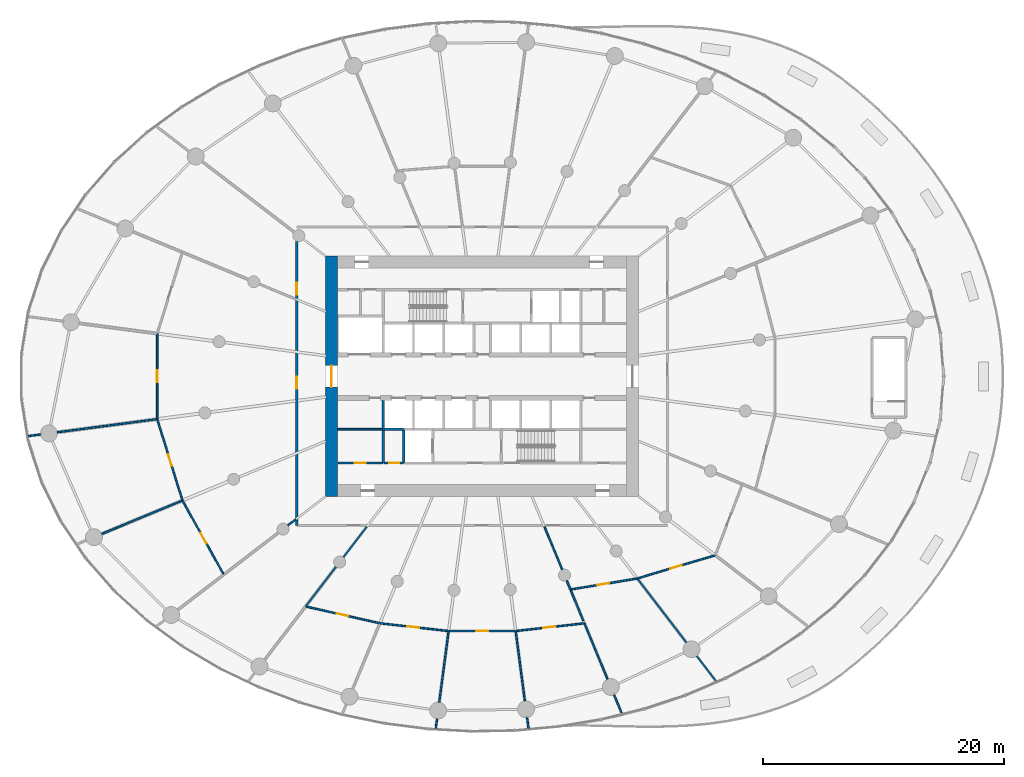
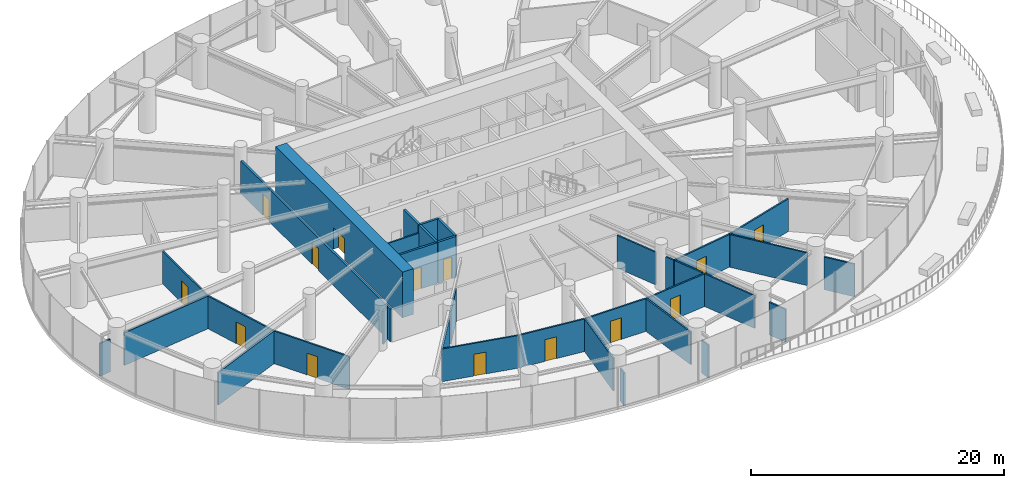
# One storey, part 11 of 21: 35 walls, 14 doors, 14 openings.
"""IFC4 building model written with IfcOpenShell, lengths in metres."""

from ifc_helpers import new_model, si_unit, direction, frame, frame_2d, origin, place, context, subcontext, project, spatial, rectangle, extrude, source, transform, mapped, material, layer, layer_set, type_object, element, fill, save


model = new_model("IFC4")

# Units and contexts
model_context = context("Model", 3, precision=1e-05, world=origin(), true_north=direction((0.0, 1.0)))
body_context = subcontext(model_context, "Body", "Model", "MODEL_VIEW")
ifc_project = project(units=[si_unit("LENGTHUNIT", "METRE"), si_unit("AREAUNIT", "SQUARE_METRE"), si_unit("VOLUMEUNIT", "CUBIC_METRE"), si_unit("PLANEANGLEUNIT", "RADIAN"), si_unit("MASSUNIT", "GRAM", prefix="KILO")], contexts=[model_context])

# Site, building, storey
site_placement = place(None, origin())
site = spatial("IfcSite", under=ifc_project, at=site_placement, CompositionType="ELEMENT")
building_placement = place(site_placement, origin())
building = spatial("IfcBuilding", under=site, at=building_placement, Name="Spindrift Exchange Tower", CompositionType="ELEMENT")
storey_placement = place(building_placement, frame((0.0, 0.0, 18.199951171875)))
storey = spatial("IfcBuildingStorey", under=building, at=storey_placement, Name="L04", CompositionType="ELEMENT", Elevation=18.199951171875)

# Wall, opening, door
ifc_material_1 = material(Name="Concrete 80 MPa", Category="concrete")
ifc_layer_1 = layer(ifc_material_1, 1.0)
ifc_layer_set_1 = layer_set([ifc_layer_1], Name="RC Core Wall 1000 Concrete 80 MPa")
wall_type_1 = type_object("IfcWallType", Name="RC Core Wall 1000 Concrete 80 MPa", PredefinedType="SHEAR", material=ifc_layer_set_1)
wall_1_placement = place(storey_placement, frame((39.5, 58.0, 0.0), z_axis=(0.0, 0.0, 1.0), x_axis=(0.0, -1.0, 0.0)))
wall_1 = element("IfcWall", 1, at=wall_1_placement, inside=storey, type_object=wall_type_1, Name="Core wall W L04", PredefinedType="SHEAR", context=body_context, shape_type="SweptSolid", body=[
    extrude(rectangle(XDim=20.0, YDim=1.0, at=frame_2d((10.0, 0.0))), origin(), (0.0, 0.0, 1.0), 4.400146484375),
])
opening_1_placement = place(wall_1_placement, frame((9.10009765625, 0.0, 0.0)))
opening_1 = element("IfcOpeningElement", 2, at=opening_1_placement, cuts=wall_1, Name="Opening L04-D1", PredefinedType="OPENING", context=body_context, shape_type="SweptSolid", body=[
    extrude(rectangle(XDim=1.800048828125, YDim=2.10009765625, at=frame_2d((0.89990234375, 1.050048828125))), frame((0.0, 0.510009765625, 0.0), z_axis=(0.0, -1.0, 0.0), x_axis=(1.0, 0.0, 0.0)), (0.0, 0.0, 1.0), 1.02001953125),
])
ifc_material_2 = material(Name="Timber-core fire door", Category="wood")
door_type_1 = type_object("IfcDoorType", Name="DR-LOBBY-1800", OperationType="NOTDEFINED", PredefinedType="DOOR", material=ifc_material_2)
shared_shape_1 = source(origin(), body_context, "Body", "SweptSolid", [
    extrude(rectangle(XDim=1.800048828125, YDim=2.10009765625, at=frame_2d((0.89990234375, 1.050048828125))), frame((0.0, 0.02490234375, 0.0), z_axis=(0.0, -1.0, 0.0), x_axis=(1.0, 0.0, 0.0)), (0.0, 0.0, 1.0), 0.050048828125),
])
door_1_placement = place(opening_1_placement, origin())
door_1 = element("IfcDoor", 3, at=door_1_placement, inside=storey, type_object=door_type_1, Name="L04 Lobby door 1", OperationType="SINGLE_SWING_RIGHT", OverallHeight=2.10009765625, OverallWidth=1.800048828125, PredefinedType="DOOR", context=body_context, shape_type="MappedRepresentation", body=[
    mapped(shared_shape_1, transform((0.0, 0.0, 0.0), scale=1.0)),
])
fill(opening_1, door_1)

ifc_material_3 = material(Name="Fire-rated plasterboard partition", Category="gypsum")
ifc_layer_2 = layer(ifc_material_3, 0.179931640625)
ifc_layer_set_2 = layer_set([ifc_layer_2], Name="W-CORR-180")
wall_type_2 = type_object("IfcWallType", Name="W-CORR-180", PredefinedType="PARTITIONING", material=ifc_layer_set_2)
wall_2_placement = place(storey_placement, frame((40.02001953125, 40.800048828125, 0.0), z_axis=(0.0, 0.0, 1.0), x_axis=(1.0, 0.0, 0.0)))
wall_2 = element("IfcWall", 4, at=wall_2_placement, inside=storey, type_object=wall_type_2, Name="L04 Partition wall 65", PredefinedType="PARTITIONING", context=body_context, shape_type="SweptSolid", body=[
    extrude(rectangle(XDim=3.75, YDim=0.179931640625, at=frame_2d((1.875, 0.0))), origin(), (0.0, 0.0, 1.0), 3.949951171875),
])
opening_2_placement = place(wall_2_placement, frame((1.39990234375, 0.0, 0.0)))
opening_2 = element("IfcOpeningElement", 5, at=opening_2_placement, cuts=wall_2, Name="Opening L04-D52", PredefinedType="OPENING", context=body_context, shape_type="SweptSolid", body=[
    extrude(rectangle(XDim=0.89990234375, YDim=2.10009765625, at=frame_2d((0.449951171875, 1.050048828125))), frame((0.0, 0.099853515625, 0.0), z_axis=(0.0, -1.0, 0.0), x_axis=(1.0, 0.0, 0.0)), (0.0, 0.0, 1.0), 0.199951171875),
])
ifc_material_4 = material(Name="Steel access door", Category="steel")
door_type_2 = type_object("IfcDoorType", Name="DR-RISER-900", OperationType="NOTDEFINED", PredefinedType="DOOR", material=ifc_material_4)
shared_shape_2 = source(origin(), body_context, "Body", "SweptSolid", [
    extrude(rectangle(XDim=0.89990234375, YDim=2.10009765625, at=frame_2d((0.449951171875, 1.050048828125))), frame((0.0, 0.02490234375, 0.0), z_axis=(0.0, -1.0, 0.0), x_axis=(1.0, 0.0, 0.0)), (0.0, 0.0, 1.0), 0.050048828125),
])
door_2_placement = place(opening_2_placement, origin())
door_2 = element("IfcDoor", 6, at=door_2_placement, inside=storey, type_object=door_type_2, Name="L04 Riser door 52", OperationType="SINGLE_SWING_LEFT", OverallHeight=2.10009765625, OverallWidth=0.89990234375, PredefinedType="DOOR", context=body_context, shape_type="MappedRepresentation", body=[
    mapped(shared_shape_2, transform((0.0, 0.0, 0.0), scale=1.0)),
])
fill(opening_2, door_2)

ifc_layer_3 = layer(ifc_material_3, 0.139892578125)
ifc_layer_set_3 = layer_set([ifc_layer_3], Name="W-PART-140")
wall_type_3 = type_object("IfcWallType", Name="W-PART-140", PredefinedType="PARTITIONING", material=ifc_layer_set_3)
wall_3_placement = place(storey_placement, frame((71.366943359375, 33.13916015625, 0.0), z_axis=(0.0, 0.0, 1.0), x_axis=(-0.958287066923, -0.285807448063, 0.0)))
wall_3 = element("IfcWall", 7, at=wall_3_placement, inside=storey, type_object=wall_type_3, Name="L04 Partition wall 83", PredefinedType="PARTITIONING", context=body_context, shape_type="SweptSolid", body=[
    extrude(rectangle(XDim=6.7626953125, YDim=0.139892578125, at=frame_2d((3.38134765625, 0.0))), origin(), (0.0, 0.0, 1.0), 3.150146484375),
])
opening_3_placement = place(wall_3_placement, frame((2.912841796875, 0.0, 0.0)))
opening_3 = element("IfcOpeningElement", 8, at=opening_3_placement, cuts=wall_3, Name="Opening L04-D47", PredefinedType="OPENING", context=body_context, shape_type="SweptSolid", body=[
    extrude(rectangle(XDim=1.0, YDim=2.10009765625, at=frame_2d((0.5, 1.050048828125))), frame((0.0, 0.079833984375, 0.0), z_axis=(0.0, -1.0, 0.0), x_axis=(1.0, 0.0, 0.0)), (0.0, 0.0, 1.0), 0.159912109375),
])
door_type_3 = type_object("IfcDoorType", Name="DR-ROOM-1000", OperationType="NOTDEFINED", PredefinedType="DOOR", material=ifc_material_2)
shared_shape_3 = source(origin(), body_context, "Body", "SweptSolid", [
    extrude(rectangle(XDim=1.0, YDim=2.10009765625, at=frame_2d((0.5, 1.050048828125))), frame((0.0, 0.02490234375, 0.0), z_axis=(0.0, -1.0, 0.0), x_axis=(1.0, 0.0, 0.0)), (0.0, 0.0, 1.0), 0.050048828125),
])
door_3_placement = place(opening_3_placement, origin())
door_3 = element("IfcDoor", 9, at=door_3_placement, inside=storey, type_object=door_type_3, Name="L04 Door 47", OperationType="SINGLE_SWING_RIGHT", OverallHeight=2.10009765625, OverallWidth=1.0, PredefinedType="DOOR", context=body_context, shape_type="MappedRepresentation", body=[
    mapped(shared_shape_3, transform((0.0, 0.0, 0.0), scale=1.0)),
])
fill(opening_3, door_3)

# Walls
wall_4_placement = place(storey_placement, frame((64.931884765625, 31.14697265625, 0.0), z_axis=(0.0, 0.0, 1.0), x_axis=(0.608760039418, -0.79335440656, 0.0)))
element("IfcWall", 10, at=wall_4_placement, inside=storey, type_object=wall_type_3, Name="L04 Partition wall 85", PredefinedType="PARTITIONING", context=body_context, shape_type="SweptSolid", body=[
    extrude(rectangle(XDim=6.630126953125, YDim=0.139892578125, at=frame_2d((3.31494140625, 0.0))), origin(), (0.0, 0.0, 1.0), 3.150146484375),
])
wall_5_placement = place(storey_placement, frame((49.214599609375, 26.84326171875, 0.0), z_axis=(0.0, 0.0, 1.0), x_axis=(-0.130523417799, -0.991445226629, 0.0)))
element("IfcWall", 11, at=wall_5_placement, inside=storey, type_object=wall_type_3, Name="L04 Partition wall 92", PredefinedType="PARTITIONING", context=body_context, shape_type="SweptSolid", body=[
    extrude(rectangle(XDim=5.95751953125, YDim=0.139892578125, at=frame_2d((2.978759765625, 0.0))), origin(), (0.0, 0.0, 1.0), 3.150146484375),
])

# Wall, opening, door
wall_6_placement = place(storey_placement, frame((64.856689453125, 31.201416015625, 0.0), z_axis=(0.0, 0.0, 1.0), x_axis=(-0.986684787107, -0.162644184928, 0.0)))
wall_6 = element("IfcWall", 12, at=wall_6_placement, inside=storey, type_object=wall_type_3, Name="L04 Partition wall 98", PredefinedType="PARTITIONING", context=body_context, shape_type="SweptSolid", body=[
    extrude(rectangle(XDim=5.595947265625, YDim=0.139892578125, at=frame_2d((2.7978515625, 0.0))), origin(), (0.0, 0.0, 1.0), 3.150146484375),
])
opening_4_placement = place(wall_6_placement, frame((2.345947265625, 0.0, 0.0)))
opening_4 = element("IfcOpeningElement", 13, at=opening_4_placement, cuts=wall_6, Name="Opening L04-D46", PredefinedType="OPENING", context=body_context, shape_type="SweptSolid", body=[
    extrude(rectangle(XDim=1.0, YDim=2.10009765625, at=frame_2d((0.5, 1.050048828125))), frame((0.0, 0.079833984375, 0.0), z_axis=(0.0, -1.0, 0.0), x_axis=(1.0, 0.0, 0.0)), (0.0, 0.0, 1.0), 0.159912109375),
])
door_4_placement = place(opening_4_placement, origin())
door_4 = element("IfcDoor", 14, at=door_4_placement, inside=storey, type_object=door_type_3, Name="L04 Door 46", OperationType="SINGLE_SWING_LEFT", OverallHeight=2.10009765625, OverallWidth=1.0, PredefinedType="DOOR", context=body_context, shape_type="MappedRepresentation", body=[
    mapped(shared_shape_3, transform((0.0, 0.0, 0.0), scale=1.0)),
])
fill(opening_4, door_4)

# Walls
wall_7_placement = place(storey_placement, frame((43.77001953125, 43.60009765625, 0.0), z_axis=(0.0, 0.0, 1.0), x_axis=(-1.0, 0.0, 0.0)))
element("IfcWall", 15, at=wall_7_placement, inside=storey, type_object=wall_type_3, Name="L04 Partition wall 111", PredefinedType="PARTITIONING", context=body_context, shape_type="SweptSolid", body=[
    extrude(rectangle(XDim=3.75, YDim=0.139892578125, at=frame_2d((1.875, 0.0))), origin(), (0.0, 0.0, 1.0), 3.150146484375),
])
wall_8_placement = place(storey_placement, frame((69.8251953125, 24.76953125, 0.0), z_axis=(0.0, 0.0, 1.0), x_axis=(0.608811983243, -0.793314546104, 0.0)))
element("IfcWall", 16, at=wall_8_placement, inside=storey, type_object=wall_type_3, Name="L04 Partition wall 126", PredefinedType="PARTITIONING", context=body_context, shape_type="SweptSolid", body=[
    extrude(rectangle(XDim=2.626708984375, YDim=0.139892578125, at=frame_2d((1.3134765625, 0.0))), origin(), (0.0, 0.0, 1.0), 3.150146484375),
])
wall_9_placement = place(storey_placement, frame((48.253173828125, 19.540283203125, 0.0), z_axis=(0.0, 0.0, 1.0), x_axis=(-0.130639131193, -0.991429986132, 0.0)))
element("IfcWall", 17, at=wall_9_placement, inside=storey, type_object=wall_type_3, Name="L04 Partition wall 141", PredefinedType="PARTITIONING", context=body_context, shape_type="SweptSolid", body=[
    extrude(rectangle(XDim=0.786865234375, YDim=0.139892578125, at=frame_2d((0.3935546875, 0.0))), origin(), (0.0, 0.0, 1.0), 3.150146484375),
])
ifc_layer_4 = layer(ifc_material_3, 0.139892578125)
ifc_layer_set_4 = layer_set([ifc_layer_4], Name="W-PLANT-140")
wall_type_4 = type_object("IfcWallType", Name="W-PLANT-140", PredefinedType="PARTITIONING", material=ifc_layer_set_4)
wall_10_placement = place(storey_placement, frame((25.009765625, 44.44677734375, 0.0), z_axis=(0.0, 0.0, 1.0), x_axis=(-0.991444269677, -0.130530686527, 0.0)))
element("IfcWall", 18, at=wall_10_placement, inside=storey, type_object=wall_type_4, Name="L04 Partition wall 75", PredefinedType="PARTITIONING", context=body_context, shape_type="SweptSolid", body=[
    extrude(rectangle(XDim=8.37353515625, YDim=0.139892578125, at=frame_2d((4.186767578125, 0.0))), origin(), (0.0, 0.0, 1.0), 3.150146484375),
])
wall_11_placement = place(storey_placement, frame((27.1044921875, 37.68798828125, 0.0), z_axis=(0.0, 0.0, 1.0), x_axis=(-0.923879422024, -0.382683699105, 0.0)))
element("IfcWall", 19, at=wall_11_placement, inside=storey, type_object=wall_type_4, Name="L04 Partition wall 77", PredefinedType="PARTITIONING", context=body_context, shape_type="SweptSolid", body=[
    extrude(rectangle(XDim=7.25439453125, YDim=0.139892578125, at=frame_2d((3.627197265625, 0.0))), origin(), (0.0, 0.0, 1.0), 3.150146484375),
])

# Wall, opening, door
wall_12_placement = place(storey_placement, frame((25.009765625, 44.4765625, 0.0), z_axis=(0.0, 0.0, 1.0), x_axis=(0.0, 1.0, 0.0)))
wall_12 = element("IfcWall", 20, at=wall_12_placement, inside=storey, type_object=wall_type_4, Name="L04 Partition wall 78", PredefinedType="PARTITIONING", context=body_context, shape_type="SweptSolid", body=[
    extrude(rectangle(XDim=7.07666015625, YDim=0.139892578125, at=frame_2d((3.538330078125, 0.0))), origin(), (0.0, 0.0, 1.0), 3.150146484375),
])
opening_5_placement = place(wall_12_placement, frame((3.026611328125, 0.0, 0.0)))
opening_5 = element("IfcOpeningElement", 21, at=opening_5_placement, cuts=wall_12, Name="Opening L04-D36", PredefinedType="OPENING", context=body_context, shape_type="SweptSolid", body=[
    extrude(rectangle(XDim=1.0, YDim=2.10009765625, at=frame_2d((0.5, 1.050048828125))), frame((0.0, 0.079833984375, 0.0), z_axis=(0.0, -1.0, 0.0), x_axis=(1.0, 0.0, 0.0)), (0.0, 0.0, 1.0), 0.159912109375),
])
door_5_placement = place(opening_5_placement, origin())
door_5 = element("IfcDoor", 22, at=door_5_placement, inside=storey, type_object=door_type_3, Name="L04 Door 36", OperationType="SINGLE_SWING_LEFT", OverallHeight=2.10009765625, OverallWidth=1.0, PredefinedType="DOOR", context=body_context, shape_type="MappedRepresentation", body=[
    mapped(shared_shape_3, transform((0.0, 0.0, 0.0), scale=1.0)),
])
fill(opening_5, door_5)

wall_13_placement = place(storey_placement, frame((27.095458984375, 37.716552734375, 0.0), z_axis=(0.0, 0.0, 1.0), x_axis=(-0.296029243549, 0.955178876946, 0.0)))
wall_13 = element("IfcWall", 23, at=wall_13_placement, inside=storey, type_object=wall_type_4, Name="L04 Partition wall 81", PredefinedType="PARTITIONING", context=body_context, shape_type="SweptSolid", body=[
    extrude(rectangle(XDim=7.015869140625, YDim=0.139892578125, at=frame_2d((3.5078125, 0.0))), origin(), (0.0, 0.0, 1.0), 3.150146484375),
])
opening_6_placement = place(wall_13_placement, frame((2.9658203125, 0.0, 0.0)))
opening_6 = element("IfcOpeningElement", 24, at=opening_6_placement, cuts=wall_13, Name="Opening L04-D37", PredefinedType="OPENING", context=body_context, shape_type="SweptSolid", body=[
    extrude(rectangle(XDim=1.0, YDim=2.10009765625, at=frame_2d((0.5, 1.050048828125))), frame((0.0, 0.079833984375, 0.0), z_axis=(0.0, -1.0, 0.0), x_axis=(1.0, 0.0, 0.0)), (0.0, 0.0, 1.0), 0.159912109375),
])
door_6_placement = place(opening_6_placement, origin())
door_6 = element("IfcDoor", 25, at=door_6_placement, inside=storey, type_object=door_type_3, Name="L04 Door 37", OperationType="SINGLE_SWING_RIGHT", OverallHeight=2.10009765625, OverallWidth=1.0, PredefinedType="DOOR", context=body_context, shape_type="MappedRepresentation", body=[
    mapped(shared_shape_3, transform((0.0, 0.0, 0.0), scale=1.0)),
])
fill(opening_6, door_6)

wall_14_placement = place(storey_placement, frame((30.502197265625, 31.592529296875, 0.0), z_axis=(0.0, 0.0, 1.0), x_axis=(-0.486916265404, 0.873448653606, 0.0)))
wall_14 = element("IfcWall", 26, at=wall_14_placement, inside=storey, type_object=wall_type_4, Name="L04 Partition wall 82", PredefinedType="PARTITIONING", context=body_context, shape_type="SweptSolid", body=[
    extrude(rectangle(XDim=6.948486328125, YDim=0.139892578125, at=frame_2d((3.47412109375, 0.0))), origin(), (0.0, 0.0, 1.0), 3.150146484375),
])
opening_7_placement = place(wall_14_placement, frame((2.898681640625, 0.0, 0.0)))
opening_7 = element("IfcOpeningElement", 27, at=opening_7_placement, cuts=wall_14, Name="Opening L04-D38", PredefinedType="OPENING", context=body_context, shape_type="SweptSolid", body=[
    extrude(rectangle(XDim=1.0, YDim=2.10009765625, at=frame_2d((0.5, 1.050048828125))), frame((0.0, 0.079833984375, 0.0), z_axis=(0.0, -1.0, 0.0), x_axis=(1.0, 0.0, 0.0)), (0.0, 0.0, 1.0), 0.159912109375),
])
door_7_placement = place(opening_7_placement, origin())
door_7 = element("IfcDoor", 28, at=door_7_placement, inside=storey, type_object=door_type_3, Name="L04 Door 38", OperationType="SINGLE_SWING_LEFT", OverallHeight=2.10009765625, OverallWidth=1.0, PredefinedType="DOOR", context=body_context, shape_type="MappedRepresentation", body=[
    mapped(shared_shape_3, transform((0.0, 0.0, 0.0), scale=1.0)),
])
fill(opening_7, door_7)

wall_15_placement = place(storey_placement, frame((43.502685546875, 27.48583984375, 0.0), z_axis=(0.0, 0.0, 1.0), x_axis=(-0.975258543616, 0.221067349702, 0.0)))
wall_15 = element("IfcWall", 29, at=wall_15_placement, inside=storey, type_object=wall_type_4, Name="L04 Partition wall 90", PredefinedType="PARTITIONING", context=body_context, shape_type="SweptSolid", body=[
    extrude(rectangle(XDim=6.326904296875, YDim=0.139892578125, at=frame_2d((3.16357421875, 0.0))), origin(), (0.0, 0.0, 1.0), 3.150146484375),
])
opening_8_placement = place(wall_15_placement, frame((2.677001953125, 0.0, 0.0)))
opening_8 = element("IfcOpeningElement", 30, at=opening_8_placement, cuts=wall_15, Name="Opening L04-D41", PredefinedType="OPENING", context=body_context, shape_type="SweptSolid", body=[
    extrude(rectangle(XDim=1.0, YDim=2.10009765625, at=frame_2d((0.5, 1.050048828125))), frame((0.0, 0.079833984375, 0.0), z_axis=(0.0, -1.0, 0.0), x_axis=(1.0, 0.0, 0.0)), (0.0, 0.0, 1.0), 0.159912109375),
])
door_8_placement = place(opening_8_placement, origin())
door_8 = element("IfcDoor", 31, at=door_8_placement, inside=storey, type_object=door_type_3, Name="L04 Door 41", OperationType="SINGLE_SWING_RIGHT", OverallHeight=2.10009765625, OverallWidth=1.0, PredefinedType="DOOR", context=body_context, shape_type="MappedRepresentation", body=[
    mapped(shared_shape_3, transform((0.0, 0.0, 0.0), scale=1.0)),
])
fill(opening_8, door_8)

# Wall
wall_16_placement = place(storey_placement, frame((54.785400390625, 26.84326171875, 0.0), z_axis=(0.0, 0.0, 1.0), x_axis=(0.130522448973, -0.991445354174, 0.0)))
element("IfcWall", 32, at=wall_16_placement, inside=storey, type_object=wall_type_4, Name="L04 Partition wall 95", PredefinedType="PARTITIONING", context=body_context, shape_type="SweptSolid", body=[
    extrude(rectangle(XDim=5.8564453125, YDim=0.139892578125, at=frame_2d((2.92822265625, 0.0))), origin(), (0.0, 0.0, 1.0), 3.150146484375),
])

# Wall, opening, door
wall_17_placement = place(storey_placement, frame((49.14501953125, 26.85107421875, 0.0), z_axis=(0.0, 0.0, 1.0), x_axis=(-0.993732576672, 0.111783567936, 0.0)))
wall_17 = element("IfcWall", 33, at=wall_17_placement, inside=storey, type_object=wall_type_4, Name="L04 Partition wall 96", PredefinedType="PARTITIONING", context=body_context, shape_type="SweptSolid", body=[
    extrude(rectangle(XDim=5.64794921875, YDim=0.139892578125, at=frame_2d((2.823974609375, 0.0))), origin(), (0.0, 0.0, 1.0), 3.150146484375),
])
opening_9_placement = place(wall_17_placement, frame((2.39794921875, 0.0, 0.0)))
opening_9 = element("IfcOpeningElement", 34, at=opening_9_placement, cuts=wall_17, Name="Opening L04-D42", PredefinedType="OPENING", context=body_context, shape_type="SweptSolid", body=[
    extrude(rectangle(XDim=1.0, YDim=2.10009765625, at=frame_2d((0.5, 1.050048828125))), frame((0.0, 0.079833984375, 0.0), z_axis=(0.0, -1.0, 0.0), x_axis=(1.0, 0.0, 0.0)), (0.0, 0.0, 1.0), 0.159912109375),
])
door_9_placement = place(opening_9_placement, origin())
door_9 = element("IfcDoor", 35, at=door_9_placement, inside=storey, type_object=door_type_3, Name="L04 Door 42", OperationType="SINGLE_SWING_LEFT", OverallHeight=2.10009765625, OverallWidth=1.0, PredefinedType="DOOR", context=body_context, shape_type="MappedRepresentation", body=[
    mapped(shared_shape_3, transform((0.0, 0.0, 0.0), scale=1.0)),
])
fill(opening_9, door_9)

wall_18_placement = place(storey_placement, frame((60.497314453125, 27.48583984375, 0.0), z_axis=(0.0, 0.0, 1.0), x_axis=(-0.993731256448, -0.111795303828, 0.0)))
wall_18 = element("IfcWall", 36, at=wall_18_placement, inside=storey, type_object=wall_type_4, Name="L04 Partition wall 97", PredefinedType="PARTITIONING", context=body_context, shape_type="SweptSolid", body=[
    extrude(rectangle(XDim=5.677978515625, YDim=0.139892578125, at=frame_2d((2.8388671875, 0.0))), origin(), (0.0, 0.0, 1.0), 3.150146484375),
])
opening_10_placement = place(wall_18_placement, frame((2.427978515625, 0.0, 0.0)))
opening_10 = element("IfcOpeningElement", 37, at=opening_10_placement, cuts=wall_18, Name="Opening L04-D44", PredefinedType="OPENING", context=body_context, shape_type="SweptSolid", body=[
    extrude(rectangle(XDim=1.0, YDim=2.10009765625, at=frame_2d((0.5, 1.050048828125))), frame((0.0, 0.079833984375, 0.0), z_axis=(0.0, -1.0, 0.0), x_axis=(1.0, 0.0, 0.0)), (0.0, 0.0, 1.0), 0.159912109375),
])
door_10_placement = place(opening_10_placement, origin())
door_10 = element("IfcDoor", 38, at=door_10_placement, inside=storey, type_object=door_type_3, Name="L04 Door 44", OperationType="SINGLE_SWING_LEFT", OverallHeight=2.10009765625, OverallWidth=1.0, PredefinedType="DOOR", context=body_context, shape_type="MappedRepresentation", body=[
    mapped(shared_shape_3, transform((0.0, 0.0, 0.0), scale=1.0)),
])
fill(opening_10, door_10)

wall_19_placement = place(storey_placement, frame((54.75537109375, 26.84326171875, 0.0), z_axis=(0.0, 0.0, 1.0), x_axis=(-1.0, 0.0, 0.0)))
wall_19 = element("IfcWall", 39, at=wall_19_placement, inside=storey, type_object=wall_type_4, Name="L04 Partition wall 100", PredefinedType="PARTITIONING", context=body_context, shape_type="SweptSolid", body=[
    extrude(rectangle(XDim=5.5107421875, YDim=0.139892578125, at=frame_2d((2.75537109375, 0.0))), origin(), (0.0, 0.0, 1.0), 3.150146484375),
])
opening_11_placement = place(wall_19_placement, frame((2.2607421875, 0.0, 0.0)))
opening_11 = element("IfcOpeningElement", 40, at=opening_11_placement, cuts=wall_19, Name="Opening L04-D43", PredefinedType="OPENING", context=body_context, shape_type="SweptSolid", body=[
    extrude(rectangle(XDim=1.0, YDim=2.10009765625, at=frame_2d((0.5, 1.050048828125))), frame((0.0, 0.079833984375, 0.0), z_axis=(0.0, -1.0, 0.0), x_axis=(1.0, 0.0, 0.0)), (0.0, 0.0, 1.0), 0.159912109375),
])
door_11_placement = place(opening_11_placement, origin())
door_11 = element("IfcDoor", 41, at=door_11_placement, inside=storey, type_object=door_type_3, Name="L04 Door 43", OperationType="SINGLE_SWING_RIGHT", OverallHeight=2.10009765625, OverallWidth=1.0, PredefinedType="DOOR", context=body_context, shape_type="MappedRepresentation", body=[
    mapped(shared_shape_3, transform((0.0, 0.0, 0.0), scale=1.0)),
])
fill(opening_11, door_11)

# Walls
wall_20_placement = place(storey_placement, frame((60.5087890625, 27.4580078125, 0.0), z_axis=(0.0, 0.0, 1.0), x_axis=(0.382671202129, -0.923884598346, 0.0)))
element("IfcWall", 42, at=wall_20_placement, inside=storey, type_object=wall_type_4, Name="L04 Partition wall 101", PredefinedType="PARTITIONING", context=body_context, shape_type="SweptSolid", body=[
    extrude(rectangle(XDim=4.995361328125, YDim=0.139892578125, at=frame_2d((2.49755859375, 0.0))), origin(), (0.0, 0.0, 1.0), 3.150146484375),
])
wall_21_placement = place(storey_placement, frame((39.85791015625, 32.176025390625, 0.0), z_axis=(0.0, 0.0, 1.0), x_axis=(-0.608780171248, -0.793338958513, 0.0)))
element("IfcWall", 43, at=wall_21_placement, inside=storey, type_object=wall_type_4, Name="L04 Partition wall 107", PredefinedType="PARTITIONING", context=body_context, shape_type="SweptSolid", body=[
    extrude(rectangle(XDim=4.07177734375, YDim=0.139892578125, at=frame_2d((2.035888671875, 0.0))), origin(), (0.0, 0.0, 1.0), 3.150146484375),
])
wall_22_placement = place(storey_placement, frame((57.173583984375, 35.510009765625, 0.0), z_axis=(0.0, 0.0, 1.0), x_axis=(0.382644558062, -0.923895633817, 0.0)))
element("IfcWall", 44, at=wall_22_placement, inside=storey, type_object=wall_type_4, Name="L04 Partition wall 108", PredefinedType="PARTITIONING", context=body_context, shape_type="SweptSolid", body=[
    extrude(rectangle(XDim=3.854248046875, YDim=0.139892578125, at=frame_2d((1.92724609375, 0.0))), origin(), (0.0, 0.0, 1.0), 3.150146484375),
])
wall_23_placement = place(storey_placement, frame((42.416015625, 35.510009765625, 0.0), z_axis=(0.0, 0.0, 1.0), x_axis=(-0.60874605662, -0.793365135703, 0.0)))
element("IfcWall", 45, at=wall_23_placement, inside=storey, type_object=wall_type_4, Name="L04 Partition wall 120", PredefinedType="PARTITIONING", context=body_context, shape_type="SweptSolid", body=[
    extrude(rectangle(XDim=3.193603515625, YDim=0.139892578125, at=frame_2d((1.5966796875, 0.0))), origin(), (0.0, 0.0, 1.0), 3.150146484375),
])
wall_24_placement = place(storey_placement, frame((59.36279296875, 30.224853515625, 0.0), z_axis=(0.0, 0.0, 1.0), x_axis=(0.382661079663, -0.923888790987, 0.0)))
element("IfcWall", 46, at=wall_24_placement, inside=storey, type_object=wall_type_4, Name="L04 Partition wall 123", PredefinedType="PARTITIONING", context=body_context, shape_type="SweptSolid", body=[
    extrude(rectangle(XDim=2.7421875, YDim=0.139892578125, at=frame_2d((1.37109375, 0.0))), origin(), (0.0, 0.0, 1.0), 3.150146484375),
])
wall_25_placement = place(storey_placement, frame((62.960205078125, 21.5400390625, 0.0), z_axis=(0.0, 0.0, 1.0), x_axis=(0.382571117301, -0.923926046936, 0.0)))
element("IfcWall", 47, at=wall_25_placement, inside=storey, type_object=wall_type_4, Name="L04 Partition wall 130", PredefinedType="PARTITIONING", context=body_context, shape_type="SweptSolid", body=[
    extrude(rectangle(XDim=1.67138671875, YDim=0.139892578125, at=frame_2d((0.835693359375, 0.0))), origin(), (0.0, 0.0, 1.0), 3.150146484375),
])
wall_26_placement = place(storey_placement, frame((15.311279296875, 43.169921875, 0.0), z_axis=(0.0, 0.0, 1.0), x_axis=(-0.991425443612, -0.130673600086, 0.0)))
element("IfcWall", 48, at=wall_26_placement, inside=storey, type_object=wall_type_4, Name="L04 Partition wall 132", PredefinedType="PARTITIONING", context=body_context, shape_type="SweptSolid", body=[
    extrude(rectangle(XDim=1.0087890625, YDim=0.139892578125, at=frame_2d((0.50439453125, 0.0))), origin(), (0.0, 0.0, 1.0), 3.150146484375),
])
wall_27_placement = place(storey_placement, frame((36.510009765625, 36.114013671875, 0.0), z_axis=(0.0, 0.0, 1.0), x_axis=(-0.793316076519, -0.608809989025, 0.0)))
element("IfcWall", 49, at=wall_27_placement, inside=storey, type_object=wall_type_4, Name="L04 Partition wall 133", PredefinedType="PARTITIONING", context=body_context, shape_type="SweptSolid", body=[
    extrude(rectangle(XDim=0.8125, YDim=0.139892578125, at=frame_2d((0.40625, 0.0))), origin(), (0.0, 0.0, 1.0), 3.150146484375),
])
wall_28_placement = place(storey_placement, frame((55.733642578125, 19.640380859375, 0.0), z_axis=(0.0, 0.0, 1.0), x_axis=(0.130632362566, -0.991430877999, 0.0)))
element("IfcWall", 50, at=wall_28_placement, inside=storey, type_object=wall_type_4, Name="L04 Partition wall 134", PredefinedType="PARTITIONING", context=body_context, shape_type="SweptSolid", body=[
    extrude(rectangle(XDim=0.8876953125, YDim=0.139892578125, at=frame_2d((0.44384765625, 0.0))), origin(), (0.0, 0.0, 1.0), 3.150146484375),
])
wall_29_placement = place(storey_placement, frame((59.034912109375, 31.015869140625, 0.0), z_axis=(0.0, 0.0, 1.0), x_axis=(0.382799508823, -0.923831443525, 0.0)))
element("IfcWall", 51, at=wall_29_placement, inside=storey, type_object=wall_type_4, Name="L04 Partition wall 143", PredefinedType="PARTITIONING", context=body_context, shape_type="SweptSolid", body=[
    extrude(rectangle(XDim=0.75439453125, YDim=0.139892578125, at=frame_2d((0.377197265625, 0.0))), origin(), (0.0, 0.0, 1.0), 3.150146484375),
])

# Wall, openings, doors
ifc_layer_5 = layer(ifc_material_3, 0.179931640625)
ifc_layer_set_5 = layer_set([ifc_layer_5], Name="W-PLANT-180")
wall_type_5 = type_object("IfcWallType", Name="W-PLANT-180", PredefinedType="PARTITIONING", material=ifc_layer_set_5)
wall_30_placement = place(storey_placement, frame((36.60009765625, 35.6298828125, 0.0), z_axis=(0.0, 0.0, 1.0), x_axis=(0.0, 1.0, 0.0)))
wall_30 = element("IfcWall", 52, at=wall_30_placement, inside=storey, type_object=wall_type_5, Name="L04 Partition wall 64", PredefinedType="PARTITIONING", context=body_context, shape_type="SweptSolid", body=[
    extrude(rectangle(XDim=23.58251953125, YDim=0.179931640625, at=frame_2d((11.791259765625, 0.0))), origin(), (0.0, 0.0, 1.0), 3.150146484375),
])
opening_12_placement = place(wall_30_placement, frame((19.132568359375, 0.0, 0.0)))
opening_12 = element("IfcOpeningElement", 53, at=opening_12_placement, cuts=wall_30, Name="Opening L04-D33", PredefinedType="OPENING", context=body_context, shape_type="SweptSolid", body=[
    extrude(rectangle(XDim=1.0, YDim=2.10009765625, at=frame_2d((0.5, 1.050048828125))), frame((0.0, 0.099853515625, 0.0), z_axis=(0.0, -1.0, 0.0), x_axis=(1.0, 0.0, 0.0)), (0.0, 0.0, 1.0), 0.199951171875),
])
opening_13_placement = place(wall_30_placement, frame((11.33251953125, 0.0, 0.0)))
opening_13 = element("IfcOpeningElement", 54, at=opening_13_placement, cuts=wall_30, Name="Opening L04-D34", PredefinedType="OPENING", context=body_context, shape_type="SweptSolid", body=[
    extrude(rectangle(XDim=1.0, YDim=2.10009765625, at=frame_2d((0.5, 1.050048828125))), frame((0.0, 0.099853515625, 0.0), z_axis=(0.0, -1.0, 0.0), x_axis=(1.0, 0.0, 0.0)), (0.0, 0.0, 1.0), 0.199951171875),
])
door_12_placement = place(opening_12_placement, origin())
door_12 = element("IfcDoor", 55, at=door_12_placement, inside=storey, type_object=door_type_3, Name="L04 Door 33", OperationType="SINGLE_SWING_RIGHT", OverallHeight=2.10009765625, OverallWidth=1.0, PredefinedType="DOOR", context=body_context, shape_type="MappedRepresentation", body=[
    mapped(shared_shape_3, transform((0.0, 0.0, 0.0), scale=1.0)),
])
fill(opening_12, door_12)
door_13_placement = place(opening_13_placement, origin())
door_13 = element("IfcDoor", 56, at=door_13_placement, inside=storey, type_object=door_type_3, Name="L04 Door 34", OperationType="SINGLE_SWING_LEFT", OverallHeight=2.10009765625, OverallWidth=1.0, PredefinedType="DOOR", context=body_context, shape_type="MappedRepresentation", body=[
    mapped(shared_shape_3, transform((0.0, 0.0, 0.0), scale=1.0)),
])
fill(opening_13, door_13)

# Walls
ifc_material_5 = material(Name="Concrete 40 MPa", Category="concrete")
ifc_layer_6 = layer(ifc_material_5, 0.199951171875)
ifc_layer_set_6 = layer_set([ifc_layer_6], Name="W-SHAFT-200")
wall_type_6 = type_object("IfcWallType", Name="W-SHAFT-200", PredefinedType="SOLIDWALL", material=ifc_layer_set_6)
for number, where, z_axis, x_axis, name in (
    (57, (43.800048828125, 43.60009765625, 0.0), (0.0, 0.0, 1.0), (0.0, -1.0, 0.0), "L04 Shaft wall 8"),
    (58, (45.5, 43.60009765625, 0.0), (0.0, 0.0, 1.0), (0.0, -1.0, 0.0), "L04 Shaft wall 9"),
):
    element("IfcWall", number, at=place(storey_placement, frame(where, z_axis=z_axis, x_axis=x_axis)), inside=storey, type_object=wall_type_6, Name=name, PredefinedType="SOLIDWALL", context=body_context, shape_type="SweptSolid", body=[
        extrude(rectangle(XDim=2.800048828125, YDim=0.199951171875, at=frame_2d((1.39990234375, 0.0))), origin(), (0.0, 0.0, 1.0), 3.949951171875),
    ])
wall_31_placement = place(storey_placement, frame((43.800048828125, 45.989990234375, 0.0), z_axis=(0.0, 0.0, 1.0), x_axis=(0.0, -1.0, 0.0)))
element("IfcWall", 59, at=wall_31_placement, inside=storey, type_object=wall_type_6, Name="L04 Shaft wall 27", PredefinedType="SOLIDWALL", context=body_context, shape_type="SweptSolid", body=[
    extrude(rectangle(XDim=2.360107421875, YDim=0.199951171875, at=frame_2d((1.18017578125, 0.0))), origin(), (0.0, 0.0, 1.0), 3.949951171875),
])
wall_32_placement = place(storey_placement, frame((43.830078125, 43.60009765625, 0.0), z_axis=(0.0, 0.0, 1.0), x_axis=(1.0, 0.0, 0.0)))
element("IfcWall", 60, at=wall_32_placement, inside=storey, type_object=wall_type_6, Name="L04 Shaft wall 44", PredefinedType="SOLIDWALL", context=body_context, shape_type="SweptSolid", body=[
    extrude(rectangle(XDim=1.639892578125, YDim=0.199951171875, at=frame_2d((0.81982421875, 0.0))), origin(), (0.0, 0.0, 1.0), 3.949951171875),
])

# Wall, opening, door
wall_33_placement = place(storey_placement, frame((43.830078125, 40.800048828125, 0.0), z_axis=(0.0, 0.0, 1.0), x_axis=(1.0, 0.0, 0.0)))
wall_33 = element("IfcWall", 61, at=wall_33_placement, inside=storey, type_object=wall_type_6, Name="L04 Shaft wall 45", PredefinedType="SOLIDWALL", context=body_context, shape_type="SweptSolid", body=[
    extrude(rectangle(XDim=1.639892578125, YDim=0.199951171875, at=frame_2d((0.81982421875, 0.0))), origin(), (0.0, 0.0, 1.0), 3.949951171875),
])
opening_14_placement = place(wall_33_placement, frame((0.469970703125, 0.0, 0.0)))
opening_14 = element("IfcOpeningElement", 62, at=opening_14_placement, cuts=wall_33, Name="Opening L04-D19", PredefinedType="OPENING", context=body_context, shape_type="SweptSolid", body=[
    extrude(rectangle(XDim=0.800048828125, YDim=2.10009765625, at=frame_2d((0.39990234375, 1.050048828125))), frame((0.0, 0.10986328125, 0.0), z_axis=(0.0, -1.0, 0.0), x_axis=(1.0, 0.0, 0.0)), (0.0, 0.0, 1.0), 0.219970703125),
])
door_type_4 = type_object("IfcDoorType", Name="DR-RISER-800", OperationType="NOTDEFINED", PredefinedType="DOOR", material=ifc_material_4)
shared_shape_4 = source(origin(), body_context, "Body", "SweptSolid", [
    extrude(rectangle(XDim=0.800048828125, YDim=2.10009765625, at=frame_2d((0.39990234375, 1.050048828125))), frame((0.0, 0.02490234375, 0.0), z_axis=(0.0, -1.0, 0.0), x_axis=(1.0, 0.0, 0.0)), (0.0, 0.0, 1.0), 0.050048828125),
])
door_14_placement = place(opening_14_placement, origin())
door_14 = element("IfcDoor", 63, at=door_14_placement, inside=storey, type_object=door_type_4, Name="L04 Riser door 19", OperationType="SINGLE_SWING_RIGHT", OverallHeight=2.10009765625, OverallWidth=0.800048828125, PredefinedType="DOOR", context=body_context, shape_type="MappedRepresentation", body=[
    mapped(shared_shape_4, transform((0.0, 0.0, 0.0), scale=1.0)),
])
fill(opening_14, door_14)

save(model, "model.ifc")
